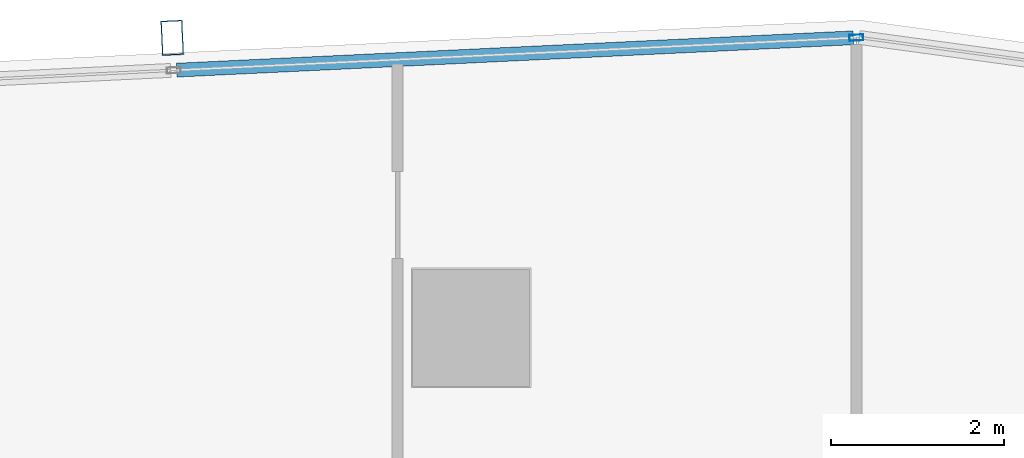
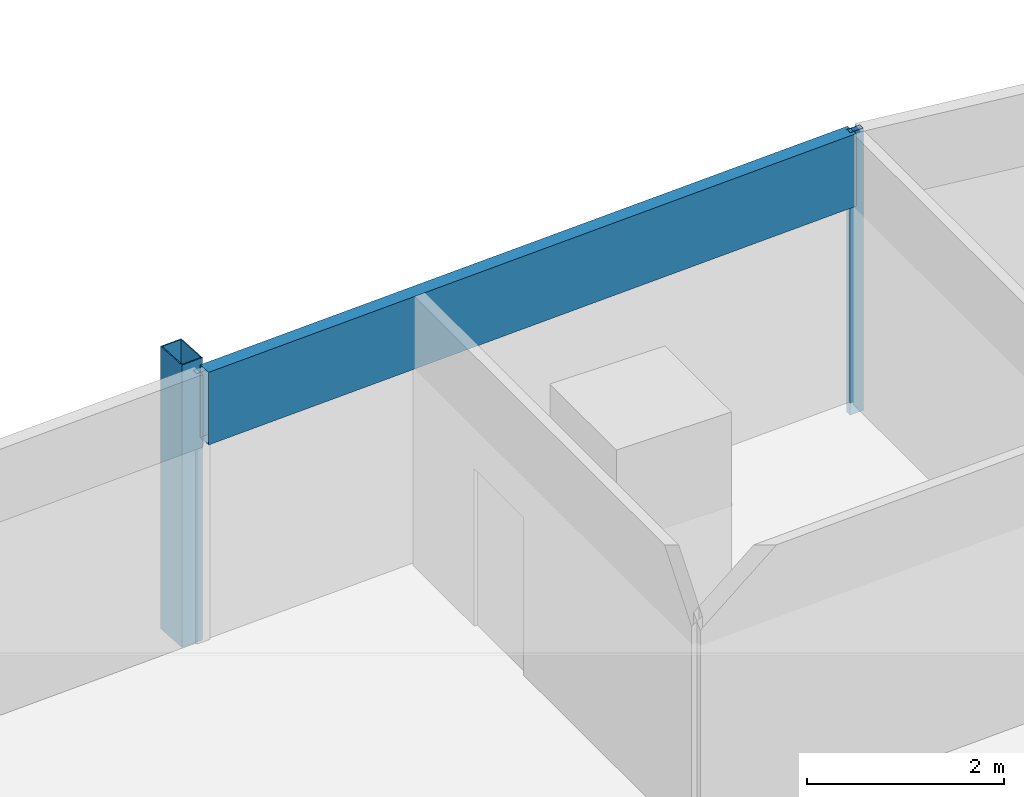
# One storey, part 25 of 40: 3 members, 1 element without a shape of its own.
"""IFC4 building model written with IfcOpenShell, lengths in metres."""

from ifc_helpers import new_model, si_unit, direction, frame, origin, origin_2d, place, context, subcontext, project, spatial, hollow_rectangle, extrude, material, material_profile, profile_set, type_object, element, aggregate, save


model = new_model("IFC4")

# Units and contexts
model_context = context("Model", 3, precision=1e-05, world=origin(), true_north=direction((0.0, 1.0)))
body_context = subcontext(model_context, "Body", "Model", "MODEL_VIEW")
ifc_project = project(units=[si_unit("LENGTHUNIT", "METRE"), si_unit("AREAUNIT", "SQUARE_METRE"), si_unit("VOLUMEUNIT", "CUBIC_METRE"), si_unit("PLANEANGLEUNIT", "RADIAN"), si_unit("MASSUNIT", "GRAM", prefix="KILO")], contexts=[model_context])

# Site, building, storey
site_placement = place(None, origin())
site = spatial("IfcSite", under=ifc_project, at=site_placement, CompositionType="ELEMENT")
building_placement = place(site_placement, origin())
building = spatial("IfcBuilding", under=site, at=building_placement, Name="Rekha Terrace Tower", CompositionType="ELEMENT")
storey_placement = place(building_placement, frame((0.0, 0.0, 210.199951171875)))
storey = spatial("IfcBuildingStorey", under=building, at=storey_placement, Name="L53", CompositionType="ELEMENT", Elevation=210.199951171875)

# Curtain wall, members
ifc_material_1 = material(Name="Aluminium framing", Category="aluminium")
curtain_wall_type = type_object("IfcCurtainWallType", Name="CW3 north unitised glazing", PredefinedType="USERDEFINED", material=ifc_material_1)
curtain_wall_placement = place(storey_placement, origin())
curtain_wall = element("IfcCurtainWall", 1, at=curtain_wall_placement, inside=storey, type_object=curtain_wall_type, Name="CW3 unitised curtain wall", ObjectType="UNITISED CURTAIN WALL", PredefinedType="USERDEFINED")
ifc_material_2 = material(Name="Steel S355 with fluorocarbon finish", Category="steel")
ifc_material_profile_1 = material_profile(ifc_material_2, hollow_rectangle(XDim=0.25, YDim=0.39990234375, WallThickness=0.012451171875, at=origin_2d()), Name="RHS400x250x12.5")
ifc_profile_set_1 = profile_set([ifc_material_profile_1], Name="Steel S355 with fluorocarbon finish")
member_type_1 = type_object("IfcMemberType", Name="BL1 facade blade RHS 400 x 250", PredefinedType="USERDEFINED", material=ifc_profile_set_1)
member_1_placement = place(storey_placement, frame((38.55224609375, 62.145751953125, 0.0), z_axis=(0.0, 0.0, 1.0), x_axis=(-0.998858913274, -0.04775846913, 0.0)))
member_1 = element("IfcMember", 2, at=member_1_placement, type_object=member_type_1, Name="Facade blade", ObjectType="FACADE BLADE", PredefinedType="USERDEFINED", context=body_context, shape_type="SweptSolid", body=[
    extrude(hollow_rectangle(XDim=0.25, YDim=0.39990234375, WallThickness=0.012451171875, at=origin_2d()), origin(), (0.0, 0.0, 1.0), 3.5),
])
ifc_material_3 = material(Name="Aluminium mullion section", Category="aluminium")
ifc_material_profile_2 = material_profile(ifc_material_3, hollow_rectangle(XDim=0.070068359375, YDim=0.159912109375, WallThickness=0.00390625, at=origin_2d()), Name="AL RHS 70x160")
ifc_profile_set_2 = profile_set([ifc_material_profile_2], Name="Aluminium mullion section")
member_type_2 = type_object("IfcMemberType", Name="CW3 mullion RHS 70 x 160", PredefinedType="MULLION", material=ifc_profile_set_2)
member_2_placement = place(storey_placement, frame((46.4443359375, 62.147705078125, 0.0), z_axis=(0.0, 0.0, 1.0), x_axis=(0.047758616983, -0.998858906204, 0.0)))
member_2 = element("IfcMember", 3, at=member_2_placement, type_object=member_type_2, Name="CW3 mullion 1", PredefinedType="MULLION", context=body_context, shape_type="SweptSolid", body=[
    extrude(hollow_rectangle(XDim=0.070068359375, YDim=0.159912109375, WallThickness=0.00390625, at=origin_2d()), origin(), (0.0, 0.0, 1.0), 3.5),
])
ifc_material_4 = material(Name="Insulated aluminium spandrel box", Category="aluminium")
ifc_material_profile_3 = material_profile(ifc_material_4, hollow_rectangle(XDim=0.159912109375, YDim=0.89990234375, WallThickness=0.0029296875, at=origin_2d()), Name="AL SPANDREL BOX 160x900")
ifc_profile_set_3 = profile_set([ifc_material_profile_3], Name="Insulated aluminium spandrel box")
member_type_3 = type_object("IfcMemberType", Name="CW3 spandrel transom 160 x 900", PredefinedType="USERDEFINED", material=ifc_profile_set_3)
member_3_placement = place(storey_placement, frame((46.4091796875, 62.14599609375, 3.050048828125), z_axis=(-0.998859425172, -0.047747761666, 0.0), x_axis=(0.047747761666, -0.998859425172, 0.0)))
member_3 = element("IfcMember", 4, at=member_3_placement, type_object=member_type_3, Name="CW3 spandrel transom 1", ObjectType="TRANSOM", PredefinedType="USERDEFINED", context=body_context, shape_type="SweptSolid", body=[
    extrude(hollow_rectangle(XDim=0.159912109375, YDim=0.89990234375, WallThickness=0.0029296875, at=origin_2d()), origin(), (0.0, 0.0, 1.0), 7.81298828125),
])
aggregate(curtain_wall, [member_2, member_3, member_1])

save(model, "model.ifc")
